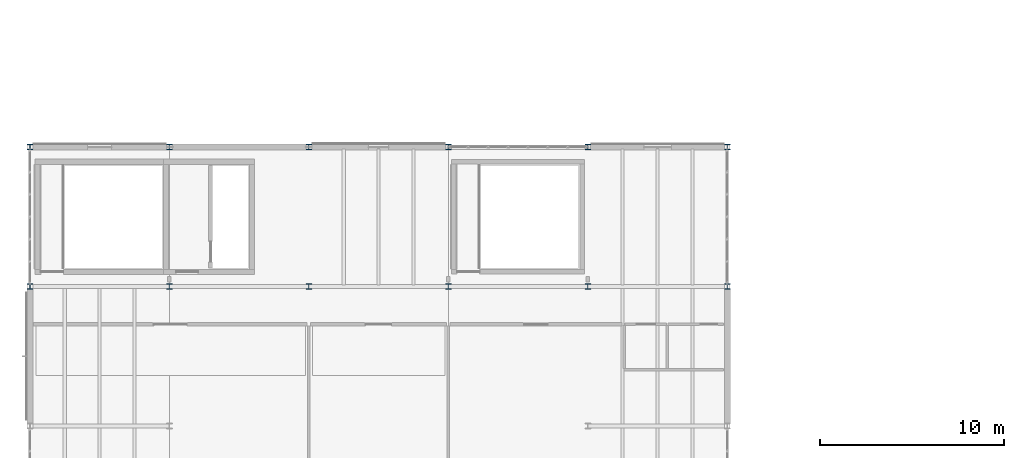
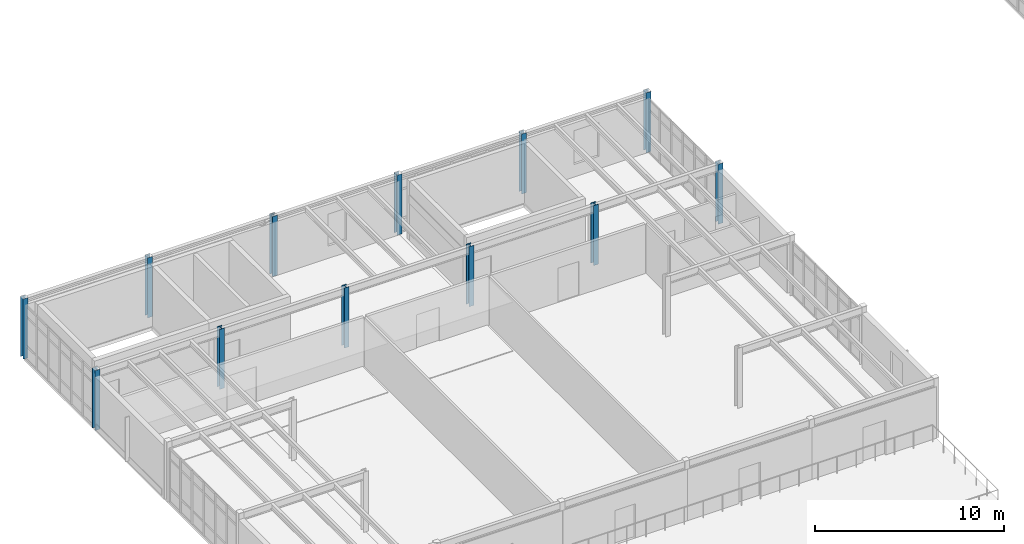
# One storey, part 8 of 114: 12 columns.
"""IFC4 building model written with IfcOpenShell, lengths in metres."""

from ifc_helpers import new_model, si_unit, direction, frame, origin, origin_2d, place, context, subcontext, project, spatial, i_section, extrude, material, material_profile, profile_set, type_object, element, save


model = new_model("IFC4")

# Units and contexts
model_context = context("Model", 3, precision=1e-05, world=origin(), true_north=direction((0.0, 1.0)))
body_context = subcontext(model_context, "Body", "Model", "MODEL_VIEW")
ifc_project = project(units=[si_unit("LENGTHUNIT", "METRE"), si_unit("AREAUNIT", "SQUARE_METRE"), si_unit("VOLUMEUNIT", "CUBIC_METRE"), si_unit("PLANEANGLEUNIT", "RADIAN"), si_unit("MASSUNIT", "GRAM", prefix="KILO")], contexts=[model_context])

# Site, building, storey
site_placement = place(None, origin())
site = spatial("IfcSite", under=ifc_project, at=site_placement, CompositionType="ELEMENT")
building_placement = place(site_placement, origin())
building = spatial("IfcBuilding", under=site, at=building_placement, Name="Montecoro Central Library", CompositionType="ELEMENT")
storey_placement = place(building_placement, frame((0.0, 0.0, 13.260009765625)))
storey = spatial("IfcBuildingStorey", under=building, at=storey_placement, Name="L03", CompositionType="ELEMENT", Elevation=13.260009765625)

# Columns
ifc_material = material(Name="Steel S355", Category="steel")
ifc_material_profile = material_profile(ifc_material, i_section(OverallWidth=0.300048828125, OverallDepth=0.300048828125, WebThickness=0.010986328125, FlangeThickness=0.01904296875, at=origin_2d()), Name="HEB 300")
ifc_profile_set = profile_set([ifc_material_profile], Name="Steel S355")
column_type = type_object("IfcColumnType", Name="COL-HEB300", PredefinedType="COLUMN", material=ifc_profile_set)
for number, where, z_axis, x_axis, name in (
    (1, (5.0, 103.800048828125, 0.0), (0.0, 0.0, 1.0), (1.0, 0.0, 0.0), "V4-L03-COL-1-P"),
    (2, (5.0, 111.39990234375, 0.0), (0.0, 0.0, 1.0), (1.0, 0.0, 0.0), "V4-L03-COL-1-Q"),
    (3, (12.60009765625, 103.800048828125, 0.0), (0.0, 0.0, 1.0), (1.0, 0.0, 0.0), "V4-L03-COL-2-P"),
    (4, (12.60009765625, 111.39990234375, 0.0), (0.0, 0.0, 1.0), (1.0, 0.0, 0.0), "V4-L03-COL-2-Q"),
    (5, (20.199951171875, 103.800048828125, 0.0), (0.0, 0.0, 1.0), (1.0, 0.0, 0.0), "V4-L03-COL-3-P"),
    (6, (20.199951171875, 111.39990234375, 0.0), (0.0, 0.0, 1.0), (1.0, 0.0, 0.0), "V4-L03-COL-3-Q"),
    (7, (27.800048828125, 103.800048828125, 0.0), (0.0, 0.0, 1.0), (1.0, 0.0, 0.0), "V4-L03-COL-4-P"),
    (8, (27.800048828125, 111.39990234375, 0.0), (0.0, 0.0, 1.0), (1.0, 0.0, 0.0), "V4-L03-COL-4-Q"),
    (9, (35.39990234375, 103.800048828125, 0.0), (0.0, 0.0, 1.0), (1.0, 0.0, 0.0), "V4-L03-COL-5-P"),
    (10, (35.39990234375, 111.39990234375, 0.0), (0.0, 0.0, 1.0), (1.0, 0.0, 0.0), "V4-L03-COL-5-Q"),
    (11, (43.0, 103.800048828125, 0.0), (0.0, 0.0, 1.0), (1.0, 0.0, 0.0), "V4-L03-COL-6-P"),
    (12, (43.0, 111.39990234375, 0.0), (0.0, 0.0, 1.0), (1.0, 0.0, 0.0), "V4-L03-COL-6-Q"),
):
    element("IfcColumn", number, at=place(storey_placement, frame(where, z_axis=z_axis, x_axis=x_axis)), inside=storey, type_object=column_type, Name=name, PredefinedType="COLUMN", context=body_context, shape_type="SweptSolid", body=[
        extrude(i_section(OverallWidth=0.300048828125, OverallDepth=0.300048828125, WebThickness=0.010986328125, FlangeThickness=0.01904296875, at=origin_2d()), origin(), (0.0, 0.0, 1.0), 3.869873046875),
    ])

save(model, "model.ifc")
